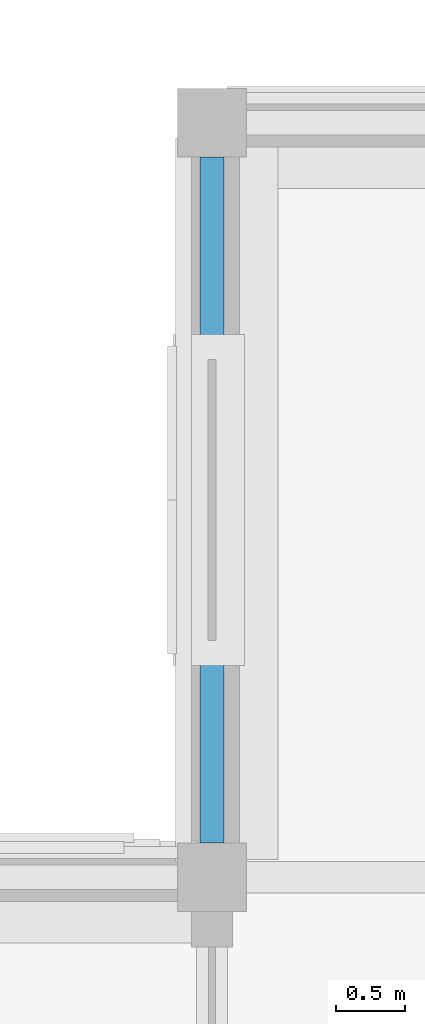
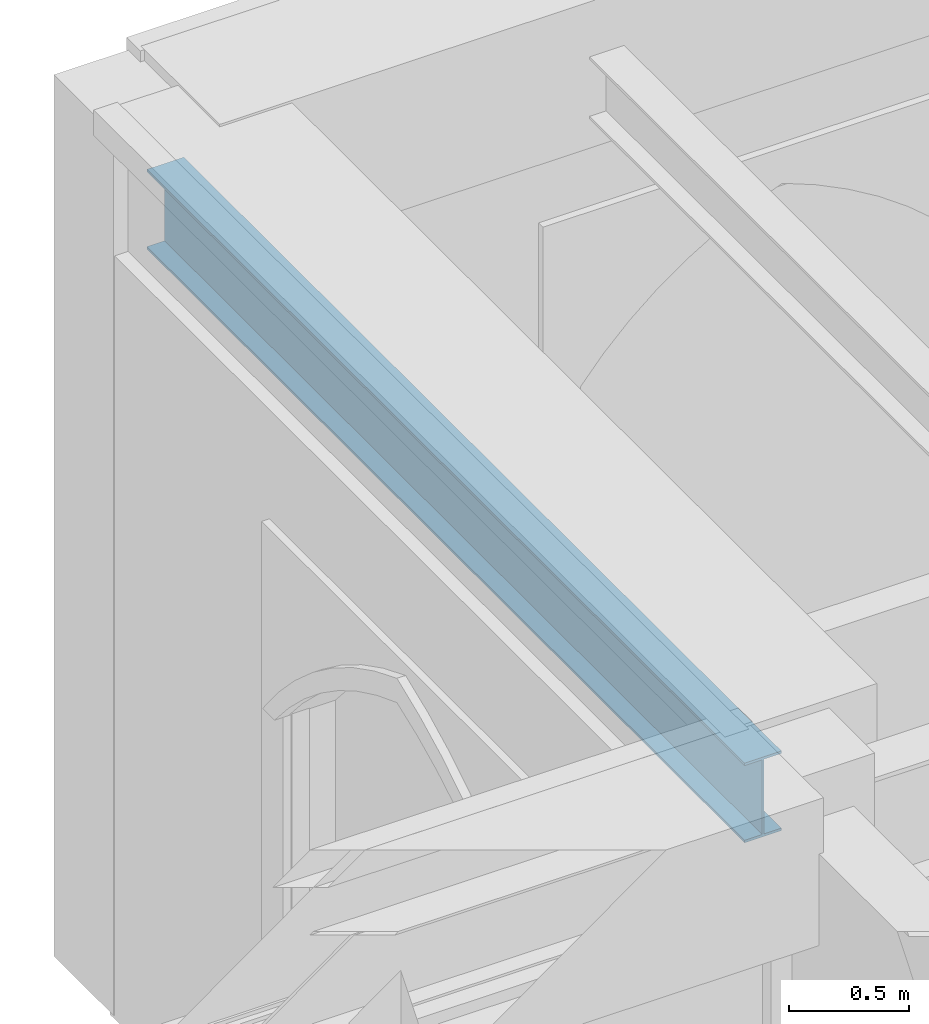
# One storey, part 69 of 143: 1 beam.
"""IFC4 building model written with IfcOpenShell, lengths in metres."""

from ifc_helpers import new_model, si_unit, direction, frame, origin, origin_2d, place, context, subcontext, project, spatial, i_section, extrude, material, material_profile, profile_set, type_object, element, save


model = new_model("IFC4")

# Units and contexts
model_context = context("Model", 3, precision=1e-05, world=origin(), true_north=direction((0.0, 1.0)))
body_context = subcontext(model_context, "Body", "Model", "MODEL_VIEW")
ifc_project = project(units=[si_unit("LENGTHUNIT", "METRE"), si_unit("AREAUNIT", "SQUARE_METRE"), si_unit("VOLUMEUNIT", "CUBIC_METRE"), si_unit("PLANEANGLEUNIT", "RADIAN"), si_unit("MASSUNIT", "GRAM", prefix="KILO")], contexts=[model_context])

# Site, building, storey
site_placement = place(None, origin())
site = spatial("IfcSite", under=ifc_project, at=site_placement, CompositionType="ELEMENT")
building_placement = place(site_placement, origin())
building = spatial("IfcBuilding", under=site, at=building_placement, Name="Cumevento Cable Car Station", CompositionType="ELEMENT")
storey_placement = place(building_placement, frame((0.0, 0.0, 9.0)))
storey = spatial("IfcBuildingStorey", under=building, at=storey_placement, Name="L03", CompositionType="ELEMENT", Elevation=9.0)

# Beam
ifc_material = material(Name="Steel ASTM A572 Grade 50", Category="steel")
ifc_material_profile = material_profile(ifc_material, i_section(OverallWidth=0.177978515625, OverallDepth=0.406982421875, WebThickness=0.0078125, FlangeThickness=0.0126953125, at=origin_2d()), Name="W410x60.0")
ifc_profile_set = profile_set([ifc_material_profile], Name="Steel ASTM A572 Grade 50")
beam_type = type_object("IfcBeamType", Name="Structural Spandrel SP-01 W410x60.0", PredefinedType="SPANDREL", material=ifc_profile_set)
beam_placement = place(storey_placement, frame((130.0, 51.25, 4.060546875), z_axis=(0.0, 1.0, 0.0), x_axis=(-1.0, 0.0, 0.0)))
element("IfcBeam", 1, at=beam_placement, inside=storey, type_object=beam_type, Name="Beam SP-01 L03 #1197", PredefinedType="SPANDREL", context=body_context, shape_type="SweptSolid", body=[
    extrude(i_section(OverallWidth=0.177978515625, OverallDepth=0.406982421875, WebThickness=0.0078125, FlangeThickness=0.0126953125, at=origin_2d()), origin(), (0.0, 0.0, 1.0), 5.0),
])

save(model, "model.ifc")
